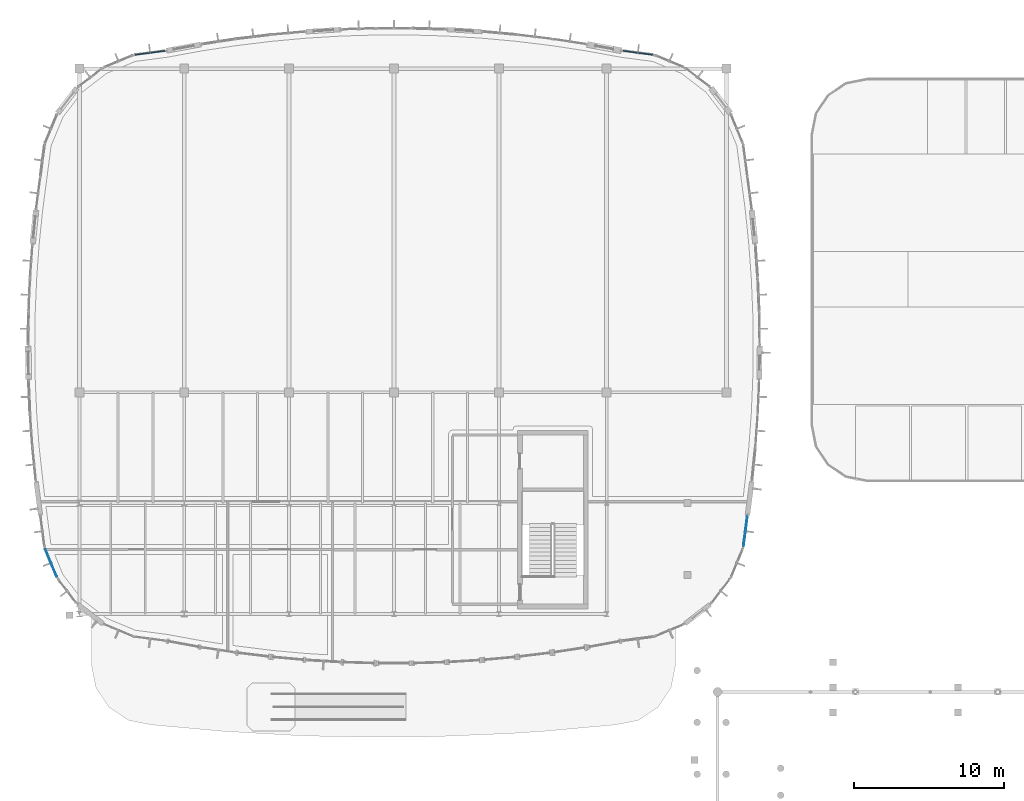
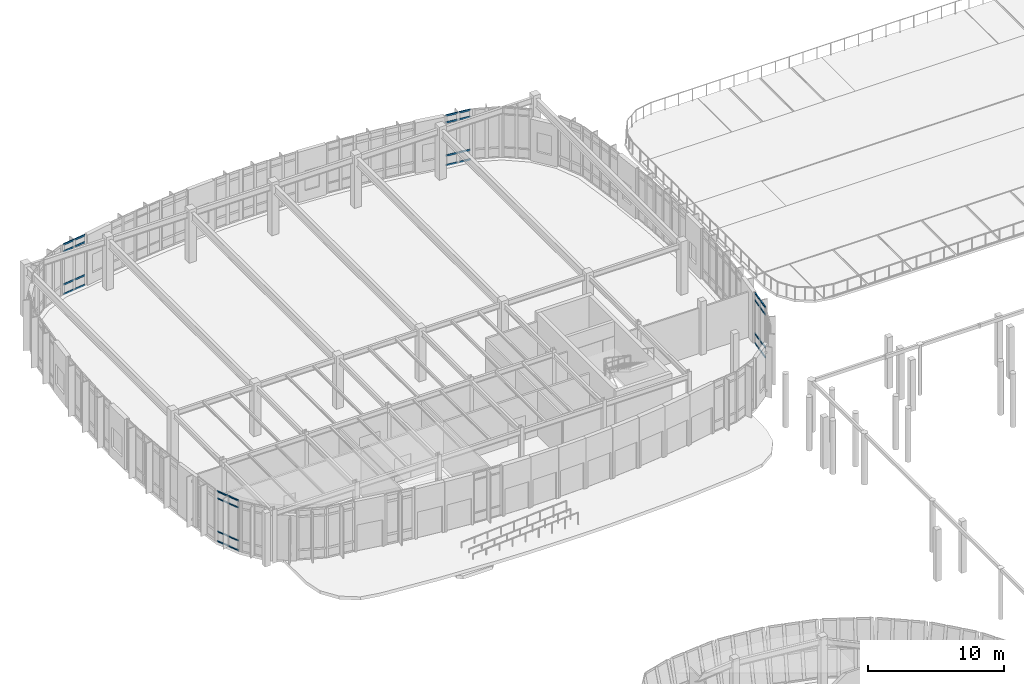
# One storey, part 65 of 120: 32 members, 4 elements without a shape of their own.
"""IFC4 building model written with IfcOpenShell, lengths in metres."""

from ifc_helpers import new_model, si_unit, direction, frame, origin, origin_2d, place, context, subcontext, project, spatial, rectangle, extrude, material, material_profile, profile_set, type_object, element, aggregate, save


model = new_model("IFC4")

# Units and contexts
model_context = context("Model", 3, precision=1e-05, world=origin(), true_north=direction((0.0, 1.0)))
body_context = subcontext(model_context, "Body", "Model", "MODEL_VIEW")
ifc_project = project(units=[si_unit("LENGTHUNIT", "METRE"), si_unit("AREAUNIT", "SQUARE_METRE"), si_unit("VOLUMEUNIT", "CUBIC_METRE"), si_unit("PLANEANGLEUNIT", "RADIAN"), si_unit("MASSUNIT", "GRAM", prefix="KILO")], contexts=[model_context])

# Site, building, storey
site_placement = place(None, origin())
site = spatial("IfcSite", under=ifc_project, at=site_placement, CompositionType="ELEMENT")
building_placement = place(site_placement, origin())
building = spatial("IfcBuilding", under=site, at=building_placement, Name="Corveleigh Park Community Centre", CompositionType="ELEMENT")
storey_placement = place(building_placement, origin())
storey = spatial("IfcBuildingStorey", under=building, at=storey_placement, Name="L00", CompositionType="ELEMENT", Elevation=0.0)

# Curtain wall, members
ifc_material = material(Name="Anodised aluminium 6063-T6", Category="aluminium")
curtain_wall_type = type_object("IfcCurtainWallType", Name="CW-SYS-V2-L00", PredefinedType="NOTDEFINED", material=ifc_material)
curtain_wall_1_placement = place(storey_placement, origin())
curtain_wall_1 = element("IfcCurtainWall", 1, at=curtain_wall_1_placement, inside=storey, type_object=curtain_wall_type, Name="V2 L00 Curtain Wall 36", PredefinedType="NOTDEFINED")
ifc_material_profile_1 = material_profile(ifc_material, rectangle(XDim=0.06005859375, YDim=0.1201171875, at=origin_2d()), Name="ALU-T60x120", Category="aluminium")
ifc_profile_set_1 = profile_set([ifc_material_profile_1], Name="Anodised aluminium 6063-T6")
member_type_1 = type_object("IfcMemberType", Name="CWT-60x120", PredefinedType="USERDEFINED", material=ifc_profile_set_1)
member_1_placement = place(storey_placement, frame((55.787841796875, 84.509765625, 0.030029296875), z_axis=(-0.130328170096, -0.991470911363, 0.0), x_axis=(0.991470911363, -0.130328170096, 0.0)))
member_1 = element("IfcMember", 2, at=member_1_placement, type_object=member_type_1, Name="CW03 transom 1.1", ObjectType="TRANSOM", PredefinedType="USERDEFINED", context=body_context, shape_type="SweptSolid", body=[
    extrude(rectangle(XDim=0.06005859375, YDim=0.1201171875, at=origin_2d()), origin(), (0.0, 0.0, 1.0), 0.94970703125),
])
member_2_placement = place(storey_placement, frame((55.787841796875, 84.509765625, 0.89990234375), z_axis=(-0.130328170096, -0.991470911363, 0.0), x_axis=(0.991470911363, -0.130328170096, 0.0)))
member_2 = element("IfcMember", 3, at=member_2_placement, type_object=member_type_1, Name="CW03 transom 1.2", ObjectType="TRANSOM", PredefinedType="USERDEFINED", context=body_context, shape_type="SweptSolid", body=[
    extrude(rectangle(XDim=0.06005859375, YDim=0.1201171875, at=origin_2d()), origin(), (0.0, 0.0, 1.0), 0.94970703125),
])
member_3_placement = place(storey_placement, frame((55.787841796875, 84.509765625, 3.876953125), z_axis=(-0.130328170096, -0.991470911363, 0.0), x_axis=(0.991470911363, -0.130328170096, 0.0)))
member_3 = element("IfcMember", 4, at=member_3_placement, type_object=member_type_1, Name="CW03 transom 1.3", ObjectType="TRANSOM", PredefinedType="USERDEFINED", context=body_context, shape_type="SweptSolid", body=[
    extrude(rectangle(XDim=0.06005859375, YDim=0.1201171875, at=origin_2d()), origin(), (0.0, 0.0, 1.0), 0.94970703125),
])
member_4_placement = place(storey_placement, frame((55.787841796875, 84.509765625, 4.4970703125), z_axis=(-0.130328170096, -0.991470911363, 0.0), x_axis=(0.991470911363, -0.130328170096, 0.0)))
member_4 = element("IfcMember", 5, at=member_4_placement, type_object=member_type_1, Name="CW03 transom 1.4", ObjectType="TRANSOM", PredefinedType="USERDEFINED", context=body_context, shape_type="SweptSolid", body=[
    extrude(rectangle(XDim=0.06005859375, YDim=0.1201171875, at=origin_2d()), origin(), (0.0, 0.0, 1.0), 0.94970703125),
])
member_5_placement = place(storey_placement, frame((55.653076171875, 83.48388671875, 0.030029296875), z_axis=(-0.130580848692, -0.99143766418, 0.0), x_axis=(0.99143766418, -0.130580848692, 0.0)))
member_5 = element("IfcMember", 6, at=member_5_placement, type_object=member_type_1, Name="CW03 transom 2.1", ObjectType="TRANSOM", PredefinedType="USERDEFINED", context=body_context, shape_type="SweptSolid", body=[
    extrude(rectangle(XDim=0.06005859375, YDim=0.1201171875, at=origin_2d()), origin(), (0.0, 0.0, 1.0), 0.94970703125),
])
member_6_placement = place(storey_placement, frame((55.653076171875, 83.48388671875, 0.89990234375), z_axis=(-0.130580848692, -0.99143766418, 0.0), x_axis=(0.99143766418, -0.130580848692, 0.0)))
member_6 = element("IfcMember", 7, at=member_6_placement, type_object=member_type_1, Name="CW03 transom 2.2", ObjectType="TRANSOM", PredefinedType="USERDEFINED", context=body_context, shape_type="SweptSolid", body=[
    extrude(rectangle(XDim=0.06005859375, YDim=0.1201171875, at=origin_2d()), origin(), (0.0, 0.0, 1.0), 0.94970703125),
])
member_7_placement = place(storey_placement, frame((55.653076171875, 83.48388671875, 3.876953125), z_axis=(-0.130580848692, -0.99143766418, 0.0), x_axis=(0.99143766418, -0.130580848692, 0.0)))
member_7 = element("IfcMember", 8, at=member_7_placement, type_object=member_type_1, Name="CW03 transom 2.3", ObjectType="TRANSOM", PredefinedType="USERDEFINED", context=body_context, shape_type="SweptSolid", body=[
    extrude(rectangle(XDim=0.06005859375, YDim=0.1201171875, at=origin_2d()), origin(), (0.0, 0.0, 1.0), 0.94970703125),
])
member_8_placement = place(storey_placement, frame((55.653076171875, 83.48388671875, 4.4970703125), z_axis=(-0.130580848692, -0.99143766418, 0.0), x_axis=(0.99143766418, -0.130580848692, 0.0)))
member_8 = element("IfcMember", 9, at=member_8_placement, type_object=member_type_1, Name="CW03 transom 2.4", ObjectType="TRANSOM", PredefinedType="USERDEFINED", context=body_context, shape_type="SweptSolid", body=[
    extrude(rectangle(XDim=0.06005859375, YDim=0.1201171875, at=origin_2d()), origin(), (0.0, 0.0, 1.0), 0.94970703125),
])
aggregate(curtain_wall_1, [member_1, member_2, member_3, member_4, member_5, member_6, member_7, member_8])

curtain_wall_2_placement = place(storey_placement, origin())
curtain_wall_2 = element("IfcCurtainWall", 10, at=curtain_wall_2_placement, inside=storey, type_object=curtain_wall_type, Name="V2 L00 Curtain Wall 71", PredefinedType="NOTDEFINED")
member_9_placement = place(storey_placement, frame((9.682373046875, 80.50390625, 0.030029296875), z_axis=(-0.382998876033, 0.923748808366, 0.0), x_axis=(-0.923748808366, -0.382998876033, 0.0)))
member_9 = element("IfcMember", 11, at=member_9_placement, type_object=member_type_1, Name="CW03 transom 1.1", ObjectType="TRANSOM", PredefinedType="USERDEFINED", context=body_context, shape_type="SweptSolid", body=[
    extrude(rectangle(XDim=0.06005859375, YDim=0.1201171875, at=origin_2d()), origin(), (0.0, 0.0, 1.0), 0.944091796875),
])
member_10_placement = place(storey_placement, frame((9.682373046875, 80.50390625, 0.89990234375), z_axis=(-0.382998876033, 0.923748808366, 0.0), x_axis=(-0.923748808366, -0.382998876033, 0.0)))
member_10 = element("IfcMember", 12, at=member_10_placement, type_object=member_type_1, Name="CW03 transom 1.2", ObjectType="TRANSOM", PredefinedType="USERDEFINED", context=body_context, shape_type="SweptSolid", body=[
    extrude(rectangle(XDim=0.06005859375, YDim=0.1201171875, at=origin_2d()), origin(), (0.0, 0.0, 1.0), 0.944091796875),
])
member_11_placement = place(storey_placement, frame((9.682373046875, 80.50390625, 3.862060546875), z_axis=(-0.382998876033, 0.923748808366, 0.0), x_axis=(-0.923748808366, -0.382998876033, 0.0)))
member_11 = element("IfcMember", 13, at=member_11_placement, type_object=member_type_1, Name="CW03 transom 1.3", ObjectType="TRANSOM", PredefinedType="USERDEFINED", context=body_context, shape_type="SweptSolid", body=[
    extrude(rectangle(XDim=0.06005859375, YDim=0.1201171875, at=origin_2d()), origin(), (0.0, 0.0, 1.0), 0.944091796875),
])
member_12_placement = place(storey_placement, frame((9.682373046875, 80.50390625, 4.48193359375), z_axis=(-0.382998876033, 0.923748808366, 0.0), x_axis=(-0.923748808366, -0.382998876033, 0.0)))
member_12 = element("IfcMember", 14, at=member_12_placement, type_object=member_type_1, Name="CW03 transom 1.4", ObjectType="TRANSOM", PredefinedType="USERDEFINED", context=body_context, shape_type="SweptSolid", body=[
    extrude(rectangle(XDim=0.06005859375, YDim=0.1201171875, at=origin_2d()), origin(), (0.0, 0.0, 1.0), 0.944091796875),
])
member_13_placement = place(storey_placement, frame((9.290283203125, 81.449951171875, 0.030029296875), z_axis=(-0.382998876033, 0.923748808366, 0.0), x_axis=(-0.923748808366, -0.382998876033, 0.0)))
member_13 = element("IfcMember", 15, at=member_13_placement, type_object=member_type_1, Name="CW03 transom 2.1", ObjectType="TRANSOM", PredefinedType="USERDEFINED", context=body_context, shape_type="SweptSolid", body=[
    extrude(rectangle(XDim=0.06005859375, YDim=0.1201171875, at=origin_2d()), origin(), (0.0, 0.0, 1.0), 0.944091796875),
])
member_14_placement = place(storey_placement, frame((9.290283203125, 81.449951171875, 0.89990234375), z_axis=(-0.382998876033, 0.923748808366, 0.0), x_axis=(-0.923748808366, -0.382998876033, 0.0)))
member_14 = element("IfcMember", 16, at=member_14_placement, type_object=member_type_1, Name="CW03 transom 2.2", ObjectType="TRANSOM", PredefinedType="USERDEFINED", context=body_context, shape_type="SweptSolid", body=[
    extrude(rectangle(XDim=0.06005859375, YDim=0.1201171875, at=origin_2d()), origin(), (0.0, 0.0, 1.0), 0.944091796875),
])
member_15_placement = place(storey_placement, frame((9.290283203125, 81.449951171875, 3.862060546875), z_axis=(-0.382998876033, 0.923748808366, 0.0), x_axis=(-0.923748808366, -0.382998876033, 0.0)))
member_15 = element("IfcMember", 17, at=member_15_placement, type_object=member_type_1, Name="CW03 transom 2.3", ObjectType="TRANSOM", PredefinedType="USERDEFINED", context=body_context, shape_type="SweptSolid", body=[
    extrude(rectangle(XDim=0.06005859375, YDim=0.1201171875, at=origin_2d()), origin(), (0.0, 0.0, 1.0), 0.944091796875),
])
member_16_placement = place(storey_placement, frame((9.290283203125, 81.449951171875, 4.48193359375), z_axis=(-0.382998876033, 0.923748808366, 0.0), x_axis=(-0.923748808366, -0.382998876033, 0.0)))
member_16 = element("IfcMember", 18, at=member_16_placement, type_object=member_type_1, Name="CW03 transom 2.4", ObjectType="TRANSOM", PredefinedType="USERDEFINED", context=body_context, shape_type="SweptSolid", body=[
    extrude(rectangle(XDim=0.06005859375, YDim=0.1201171875, at=origin_2d()), origin(), (0.0, 0.0, 1.0), 0.944091796875),
])
aggregate(curtain_wall_2, [member_9, member_10, member_11, member_12, member_13, member_14, member_15, member_16])

curtain_wall_3_placement = place(storey_placement, origin())
curtain_wall_3 = element("IfcCurtainWall", 19, at=curtain_wall_3_placement, inside=storey, type_object=curtain_wall_type, Name="V2 L00 Curtain Wall 48", PredefinedType="NOTDEFINED")
ifc_material_profile_2 = material_profile(ifc_material, rectangle(XDim=0.070068359375, YDim=0.155029296875, at=origin_2d()), Name="ALU-T70x155", Category="aluminium")
ifc_profile_set_2 = profile_set([ifc_material_profile_2], Name="Anodised aluminium 6063-T6")
member_type_2 = type_object("IfcMemberType", Name="CWT-70x155", PredefinedType="USERDEFINED", material=ifc_profile_set_2)
member_17_placement = place(storey_placement, frame((47.495361328125, 115.587890625, 0.034912109375), z_axis=(0.99142268007, -0.130694565469, 0.0), x_axis=(0.130694565469, 0.99142268007, 0.0)))
member_17 = element("IfcMember", 20, at=member_17_placement, type_object=member_type_2, Name="CW03 transom 1.1", ObjectType="TRANSOM", PredefinedType="USERDEFINED", context=body_context, shape_type="SweptSolid", body=[
    extrude(rectangle(XDim=0.070068359375, YDim=0.155029296875, at=origin_2d()), origin(), (0.0, 0.0, 1.0), 0.947021484375),
])
member_18_placement = place(storey_placement, frame((47.495361328125, 115.587890625, 0.89990234375), z_axis=(0.99142268007, -0.130694565469, 0.0), x_axis=(0.130694565469, 0.99142268007, 0.0)))
member_18 = element("IfcMember", 21, at=member_18_placement, type_object=member_type_2, Name="CW03 transom 1.2", ObjectType="TRANSOM", PredefinedType="USERDEFINED", context=body_context, shape_type="SweptSolid", body=[
    extrude(rectangle(XDim=0.070068359375, YDim=0.155029296875, at=origin_2d()), origin(), (0.0, 0.0, 1.0), 0.947021484375),
])
member_19_placement = place(storey_placement, frame((47.495361328125, 115.587890625, 3.862060546875), z_axis=(0.99142268007, -0.130694565469, 0.0), x_axis=(0.130694565469, 0.99142268007, 0.0)))
member_19 = element("IfcMember", 22, at=member_19_placement, type_object=member_type_2, Name="CW03 transom 1.3", ObjectType="TRANSOM", PredefinedType="USERDEFINED", context=body_context, shape_type="SweptSolid", body=[
    extrude(rectangle(XDim=0.070068359375, YDim=0.155029296875, at=origin_2d()), origin(), (0.0, 0.0, 1.0), 0.947021484375),
])
member_20_placement = place(storey_placement, frame((47.495361328125, 115.587890625, 4.47705078125), z_axis=(0.99142268007, -0.130694565469, 0.0), x_axis=(0.130694565469, 0.99142268007, 0.0)))
member_20 = element("IfcMember", 23, at=member_20_placement, type_object=member_type_2, Name="CW03 transom 1.4", ObjectType="TRANSOM", PredefinedType="USERDEFINED", context=body_context, shape_type="SweptSolid", body=[
    extrude(rectangle(XDim=0.070068359375, YDim=0.155029296875, at=origin_2d()), origin(), (0.0, 0.0, 1.0), 0.947021484375),
])
member_21_placement = place(storey_placement, frame((48.5185546875, 115.452880859375, 0.034912109375), z_axis=(0.991427081544, -0.130661172431, 0.0), x_axis=(0.130661172431, 0.991427081544, 0.0)))
member_21 = element("IfcMember", 24, at=member_21_placement, type_object=member_type_2, Name="CW03 transom 2.1", ObjectType="TRANSOM", PredefinedType="USERDEFINED", context=body_context, shape_type="SweptSolid", body=[
    extrude(rectangle(XDim=0.070068359375, YDim=0.155029296875, at=origin_2d()), origin(), (0.0, 0.0, 1.0), 0.947265625),
])
member_22_placement = place(storey_placement, frame((48.5185546875, 115.452880859375, 0.89990234375), z_axis=(0.991427081544, -0.130661172431, 0.0), x_axis=(0.130661172431, 0.991427081544, 0.0)))
member_22 = element("IfcMember", 25, at=member_22_placement, type_object=member_type_2, Name="CW03 transom 2.2", ObjectType="TRANSOM", PredefinedType="USERDEFINED", context=body_context, shape_type="SweptSolid", body=[
    extrude(rectangle(XDim=0.070068359375, YDim=0.155029296875, at=origin_2d()), origin(), (0.0, 0.0, 1.0), 0.947265625),
])
member_23_placement = place(storey_placement, frame((48.5185546875, 115.452880859375, 3.862060546875), z_axis=(0.991427081544, -0.130661172431, 0.0), x_axis=(0.130661172431, 0.991427081544, 0.0)))
member_23 = element("IfcMember", 26, at=member_23_placement, type_object=member_type_2, Name="CW03 transom 2.3", ObjectType="TRANSOM", PredefinedType="USERDEFINED", context=body_context, shape_type="SweptSolid", body=[
    extrude(rectangle(XDim=0.070068359375, YDim=0.155029296875, at=origin_2d()), origin(), (0.0, 0.0, 1.0), 0.947265625),
])
member_24_placement = place(storey_placement, frame((48.5185546875, 115.452880859375, 4.47705078125), z_axis=(0.991427081544, -0.130661172431, 0.0), x_axis=(0.130661172431, 0.991427081544, 0.0)))
member_24 = element("IfcMember", 27, at=member_24_placement, type_object=member_type_2, Name="CW03 transom 2.4", ObjectType="TRANSOM", PredefinedType="USERDEFINED", context=body_context, shape_type="SweptSolid", body=[
    extrude(rectangle(XDim=0.070068359375, YDim=0.155029296875, at=origin_2d()), origin(), (0.0, 0.0, 1.0), 0.947265625),
])
aggregate(curtain_wall_3, [member_17, member_18, member_19, member_20, member_21, member_22, member_23, member_24])

curtain_wall_4_placement = place(storey_placement, origin())
curtain_wall_4 = element("IfcCurtainWall", 28, at=curtain_wall_4_placement, inside=storey, type_object=curtain_wall_type, Name="V2 L00 Curtain Wall 58", PredefinedType="NOTDEFINED")
member_25_placement = place(storey_placement, frame((14.932373046875, 115.327880859375, 0.034912109375), z_axis=(0.991424039332, 0.130684253969, 0.0), x_axis=(-0.130684253969, 0.991424039332, 0.0)))
member_25 = element("IfcMember", 29, at=member_25_placement, type_object=member_type_2, Name="CW03 transom 1.1", ObjectType="TRANSOM", PredefinedType="USERDEFINED", context=body_context, shape_type="SweptSolid", body=[
    extrude(rectangle(XDim=0.070068359375, YDim=0.155029296875, at=origin_2d()), origin(), (0.0, 0.0, 1.0), 0.962158203125),
])
member_26_placement = place(storey_placement, frame((14.932373046875, 115.327880859375, 0.89990234375), z_axis=(0.991424039332, 0.130684253969, 0.0), x_axis=(-0.130684253969, 0.991424039332, 0.0)))
member_26 = element("IfcMember", 30, at=member_26_placement, type_object=member_type_2, Name="CW03 transom 1.2", ObjectType="TRANSOM", PredefinedType="USERDEFINED", context=body_context, shape_type="SweptSolid", body=[
    extrude(rectangle(XDim=0.070068359375, YDim=0.155029296875, at=origin_2d()), origin(), (0.0, 0.0, 1.0), 0.962158203125),
])
member_27_placement = place(storey_placement, frame((14.932373046875, 115.327880859375, 3.862060546875), z_axis=(0.991424039332, 0.130684253969, 0.0), x_axis=(-0.130684253969, 0.991424039332, 0.0)))
member_27 = element("IfcMember", 31, at=member_27_placement, type_object=member_type_2, Name="CW03 transom 1.3", ObjectType="TRANSOM", PredefinedType="USERDEFINED", context=body_context, shape_type="SweptSolid", body=[
    extrude(rectangle(XDim=0.070068359375, YDim=0.155029296875, at=origin_2d()), origin(), (0.0, 0.0, 1.0), 0.962158203125),
])
member_28_placement = place(storey_placement, frame((14.932373046875, 115.327880859375, 4.47705078125), z_axis=(0.991424039332, 0.130684253969, 0.0), x_axis=(-0.130684253969, 0.991424039332, 0.0)))
member_28 = element("IfcMember", 32, at=member_28_placement, type_object=member_type_2, Name="CW03 transom 1.4", ObjectType="TRANSOM", PredefinedType="USERDEFINED", context=body_context, shape_type="SweptSolid", body=[
    extrude(rectangle(XDim=0.070068359375, YDim=0.155029296875, at=origin_2d()), origin(), (0.0, 0.0, 1.0), 0.962158203125),
])
member_29_placement = place(storey_placement, frame((15.960693359375, 115.46337890625, 0.034912109375), z_axis=(0.991424039332, 0.130684253969, 0.0), x_axis=(-0.130684253969, 0.991424039332, 0.0)))
member_29 = element("IfcMember", 33, at=member_29_placement, type_object=member_type_2, Name="CW03 transom 2.1", ObjectType="TRANSOM", PredefinedType="USERDEFINED", context=body_context, shape_type="SweptSolid", body=[
    extrude(rectangle(XDim=0.070068359375, YDim=0.155029296875, at=origin_2d()), origin(), (0.0, 0.0, 1.0), 0.962158203125),
])
member_30_placement = place(storey_placement, frame((15.960693359375, 115.46337890625, 0.89990234375), z_axis=(0.991424039332, 0.130684253969, 0.0), x_axis=(-0.130684253969, 0.991424039332, 0.0)))
member_30 = element("IfcMember", 34, at=member_30_placement, type_object=member_type_2, Name="CW03 transom 2.2", ObjectType="TRANSOM", PredefinedType="USERDEFINED", context=body_context, shape_type="SweptSolid", body=[
    extrude(rectangle(XDim=0.070068359375, YDim=0.155029296875, at=origin_2d()), origin(), (0.0, 0.0, 1.0), 0.962158203125),
])
member_31_placement = place(storey_placement, frame((15.960693359375, 115.46337890625, 3.862060546875), z_axis=(0.991424039332, 0.130684253969, 0.0), x_axis=(-0.130684253969, 0.991424039332, 0.0)))
member_31 = element("IfcMember", 35, at=member_31_placement, type_object=member_type_2, Name="CW03 transom 2.3", ObjectType="TRANSOM", PredefinedType="USERDEFINED", context=body_context, shape_type="SweptSolid", body=[
    extrude(rectangle(XDim=0.070068359375, YDim=0.155029296875, at=origin_2d()), origin(), (0.0, 0.0, 1.0), 0.962158203125),
])
member_32_placement = place(storey_placement, frame((15.960693359375, 115.46337890625, 4.47705078125), z_axis=(0.991424039332, 0.130684253969, 0.0), x_axis=(-0.130684253969, 0.991424039332, 0.0)))
member_32 = element("IfcMember", 36, at=member_32_placement, type_object=member_type_2, Name="CW03 transom 2.4", ObjectType="TRANSOM", PredefinedType="USERDEFINED", context=body_context, shape_type="SweptSolid", body=[
    extrude(rectangle(XDim=0.070068359375, YDim=0.155029296875, at=origin_2d()), origin(), (0.0, 0.0, 1.0), 0.962158203125),
])
aggregate(curtain_wall_4, [member_25, member_26, member_27, member_28, member_29, member_30, member_31, member_32])

save(model, "model.ifc")
